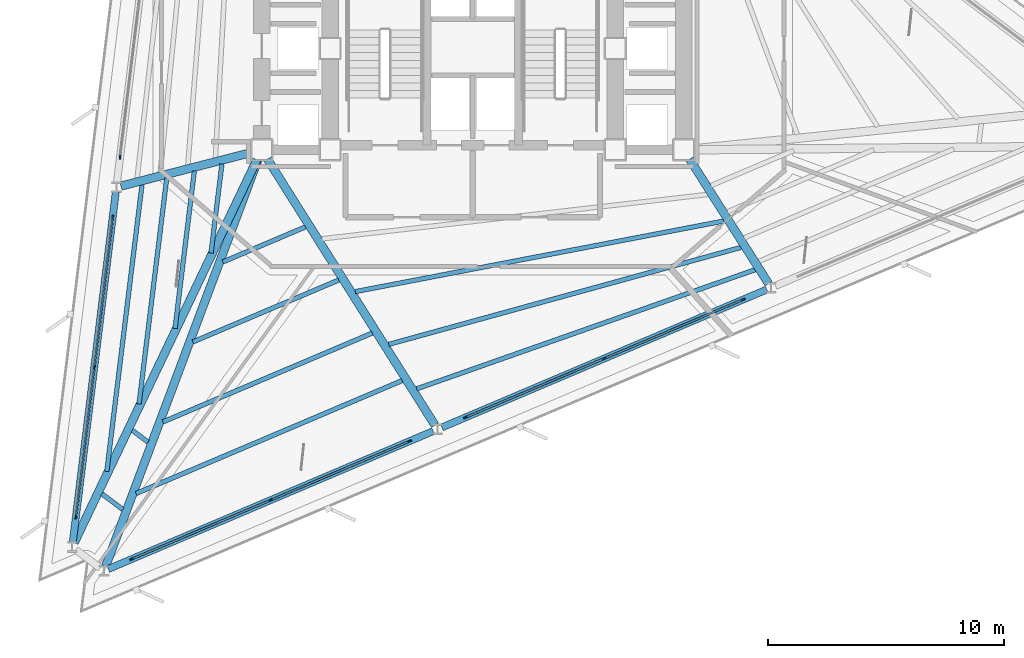
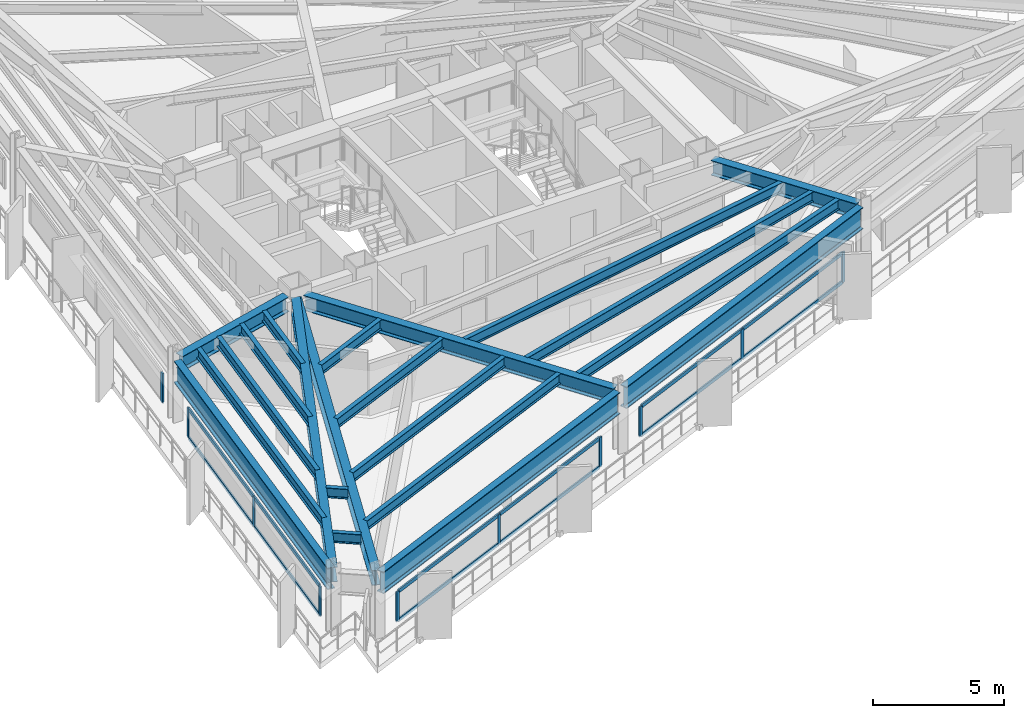
# One storey, part 2 of 13: 22 members, 21 beams, 4 elements without a shape of their own.
"""IFC4 building model written with IfcOpenShell, lengths in metres."""

from ifc_helpers import new_model, si_unit, direction, frame, origin, origin_2d, place, context, subcontext, project, spatial, rectangle, i_section, extrude, material, layer, layer_set, material_profile, profile_set, type_object, element, aggregate, save


model = new_model("IFC4")

# Units and contexts
model_context = context("Model", 3, precision=1e-05, world=origin(), true_north=direction((0.0, 1.0)))
body_context = subcontext(model_context, "Body", "Model", "MODEL_VIEW")
ifc_project = project(units=[si_unit("LENGTHUNIT", "METRE"), si_unit("AREAUNIT", "SQUARE_METRE"), si_unit("VOLUMEUNIT", "CUBIC_METRE"), si_unit("PLANEANGLEUNIT", "RADIAN"), si_unit("MASSUNIT", "GRAM", prefix="KILO")], contexts=[model_context])

# Site, building, storey
site_placement = place(None, origin())
site = spatial("IfcSite", under=ifc_project, at=site_placement, CompositionType="ELEMENT")
building_placement = place(site_placement, origin())
building = spatial("IfcBuilding", under=site, at=building_placement, Name="Rocaltana Carrier Exchange", CompositionType="ELEMENT")
storey_placement = place(building_placement, frame((0.0, 0.0, 73.1201171875)))
storey = spatial("IfcBuildingStorey", under=building, at=storey_placement, Name="L22", CompositionType="ELEMENT", Elevation=73.1201171875)

# Curtain wall, member
ifc_material_1 = material(Name="Aluminium 6063-T6", Category="aluminium")
ifc_layer = layer(ifc_material_1, 0.1650390625)
ifc_layer_set = layer_set([ifc_layer], Name="Aluminium 6063-T6")
curtain_wall_type = type_object("IfcCurtainWallType", Name="Lower-Mid Stepped Curtain Wall CW-02", PredefinedType="NOTDEFINED", material=ifc_layer_set)
curtain_wall_1_placement = place(storey_placement, origin())
curtain_wall_1 = element("IfcCurtainWall", 1, at=curtain_wall_1_placement, inside=storey, type_object=curtain_wall_type, Name="L22 CW-02 Run CW-L22-F2S2", PredefinedType="NOTDEFINED")
ifc_material_2 = material(Name="Aluminium 6063-T6", Category="aluminium")
ifc_material_profile_1 = material_profile(ifc_material_2, rectangle(XDim=0.06494140625, YDim=0.1650390625, at=origin_2d()), Name="AL-65X165")
ifc_profile_set_1 = profile_set([ifc_material_profile_1], Name="Aluminium 6063-T6")
member_type_1 = type_object("IfcMemberType", Name="CW-02 Mullion AL-65X165", PredefinedType="MULLION", material=ifc_profile_set_1)
member_1_placement = place(storey_placement, frame((-14.954345703125, -4.61279296875, 0.0), z_axis=(0.0, 0.0, 1.0), x_axis=(0.992545632614, -0.121873570472, 0.0)))
member_1 = element("IfcMember", 2, at=member_1_placement, type_object=member_type_1, Name="CW-02 mullion 3", PredefinedType="MULLION", context=body_context, shape_type="SweptSolid", body=[
    extrude(rectangle(XDim=0.06494140625, YDim=0.1650390625, at=origin_2d()), origin(), (0.0, 0.0, 1.0), 1.39794921875),
])
aggregate(curtain_wall_1, [member_1])

# Curtain wall, members
curtain_wall_2_placement = place(storey_placement, origin())
curtain_wall_2 = element("IfcCurtainWall", 3, at=curtain_wall_2_placement, inside=storey, type_object=curtain_wall_type, Name="L22 CW-02 Run CW-L22-F2S3", PredefinedType="NOTDEFINED")
member_2_placement = place(storey_placement, frame((-15.266845703125, -7.15869140625, 0.0), z_axis=(0.0, 0.0, 1.0), x_axis=(0.992544692438, -0.121881227076, 0.0)))
member_2 = element("IfcMember", 4, at=member_2_placement, type_object=member_type_1, Name="CW-02 mullion 1", PredefinedType="MULLION", context=body_context, shape_type="SweptSolid", body=[
    extrude(rectangle(XDim=0.06494140625, YDim=0.1650390625, at=origin_2d()), origin(), (0.0, 0.0, 1.0), 1.39794921875),
])
member_3_placement = place(storey_placement, frame((-16.047119140625, -13.51171875, 0.0), z_axis=(0.0, 0.0, 1.0), x_axis=(0.992544692438, -0.121881227076, 0.0)))
member_3 = element("IfcMember", 5, at=member_3_placement, type_object=member_type_1, Name="CW-02 mullion 2", PredefinedType="MULLION", context=body_context, shape_type="SweptSolid", body=[
    extrude(rectangle(XDim=0.06494140625, YDim=0.1650390625, at=origin_2d()), origin(), (0.0, 0.0, 1.0), 1.39794921875),
])
member_4_placement = place(storey_placement, frame((-16.8271484375, -19.86474609375, 0.0), z_axis=(0.0, 0.0, 1.0), x_axis=(0.992544692438, -0.121881227076, 0.0)))
member_4 = element("IfcMember", 6, at=member_4_placement, type_object=member_type_1, Name="CW-02 mullion 3", PredefinedType="MULLION", context=body_context, shape_type="SweptSolid", body=[
    extrude(rectangle(XDim=0.06494140625, YDim=0.1650390625, at=origin_2d()), origin(), (0.0, 0.0, 1.0), 1.39794921875),
])

curtain_wall_3_placement = place(storey_placement, origin())
curtain_wall_3 = element("IfcCurtainWall", 7, at=curtain_wall_3_placement, inside=storey, type_object=curtain_wall_type, Name="L22 CW-02 Run CW-L22-F3S1", PredefinedType="NOTDEFINED")
member_5_placement = place(storey_placement, frame((-14.457275390625, -21.650634765625, 0.0), z_axis=(0.0, 0.0, 1.0), x_axis=(-0.390728673724, 0.920505895435, 0.0)))
member_5 = element("IfcMember", 8, at=member_5_placement, type_object=member_type_1, Name="CW-02 mullion 1", PredefinedType="MULLION", context=body_context, shape_type="SweptSolid", body=[
    extrude(rectangle(XDim=0.06494140625, YDim=0.1650390625, at=origin_2d()), origin(), (0.0, 0.0, 1.0), 1.39794921875),
])
member_6_placement = place(storey_placement, frame((-8.565185546875, -19.149658203125, 0.0), z_axis=(0.0, 0.0, 1.0), x_axis=(-0.390728673724, 0.920505895435, 0.0)))
member_6 = element("IfcMember", 9, at=member_6_placement, type_object=member_type_1, Name="CW-02 mullion 2", PredefinedType="MULLION", context=body_context, shape_type="SweptSolid", body=[
    extrude(rectangle(XDim=0.06494140625, YDim=0.1650390625, at=origin_2d()), origin(), (0.0, 0.0, 1.0), 1.39794921875),
])
member_7_placement = place(storey_placement, frame((-2.673095703125, -16.648681640625, 0.0), z_axis=(0.0, 0.0, 1.0), x_axis=(-0.390728673724, 0.920505895435, 0.0)))
member_7 = element("IfcMember", 10, at=member_7_placement, type_object=member_type_1, Name="CW-02 mullion 3", PredefinedType="MULLION", context=body_context, shape_type="SweptSolid", body=[
    extrude(rectangle(XDim=0.06494140625, YDim=0.1650390625, at=origin_2d()), origin(), (0.0, 0.0, 1.0), 1.39794921875),
])

curtain_wall_4_placement = place(storey_placement, origin())
curtain_wall_4 = element("IfcCurtainWall", 11, at=curtain_wall_4_placement, inside=storey, type_object=curtain_wall_type, Name="L22 CW-02 Run CW-L22-F3S2", PredefinedType="NOTDEFINED")
member_8_placement = place(storey_placement, frame((-0.31201171875, -15.646484375, 0.0), z_axis=(0.0, 0.0, 1.0), x_axis=(-0.390728673724, 0.920505895435, 0.0)))
member_8 = element("IfcMember", 12, at=member_8_placement, type_object=member_type_1, Name="CW-02 mullion 1", PredefinedType="MULLION", context=body_context, shape_type="SweptSolid", body=[
    extrude(rectangle(XDim=0.06494140625, YDim=0.1650390625, at=origin_2d()), origin(), (0.0, 0.0, 1.0), 1.39794921875),
])
member_9_placement = place(storey_placement, frame((5.579833984375, -13.1455078125, 0.0), z_axis=(0.0, 0.0, 1.0), x_axis=(-0.390728673724, 0.920505895435, 0.0)))
member_9 = element("IfcMember", 13, at=member_9_placement, type_object=member_type_1, Name="CW-02 mullion 2", PredefinedType="MULLION", context=body_context, shape_type="SweptSolid", body=[
    extrude(rectangle(XDim=0.06494140625, YDim=0.1650390625, at=origin_2d()), origin(), (0.0, 0.0, 1.0), 1.39794921875),
])
member_10_placement = place(storey_placement, frame((11.471923828125, -10.64453125, 0.0), z_axis=(0.0, 0.0, 1.0), x_axis=(-0.390728673724, 0.920505895435, 0.0)))
member_10 = element("IfcMember", 14, at=member_10_placement, type_object=member_type_1, Name="CW-02 mullion 3", PredefinedType="MULLION", context=body_context, shape_type="SweptSolid", body=[
    extrude(rectangle(XDim=0.06494140625, YDim=0.1650390625, at=origin_2d()), origin(), (0.0, 0.0, 1.0), 1.39794921875),
])

# Member
ifc_material_3 = material(Name="Aluminium 6063-T6", Category="aluminium")
ifc_material_profile_2 = material_profile(ifc_material_3, rectangle(XDim=0.06494140625, YDim=0.1650390625, at=origin_2d()), Name="AL-65X165")
ifc_profile_set_2 = profile_set([ifc_material_profile_2], Name="Aluminium 6063-T6")
member_type_2 = type_object("IfcMemberType", Name="CW-02 Transom AL-65X165", PredefinedType="USERDEFINED", material=ifc_profile_set_2)
member_11_placement = place(storey_placement, frame((-15.270751953125, -7.19091796875, 0.032470703125), z_axis=(-0.121881311797, -0.992544682034, 0.0), x_axis=(0.992544682034, -0.121881311797, 0.0)))
member_11 = element("IfcMember", 15, at=member_11_placement, type_object=member_type_2, Name="CW-02 transom 1.1", ObjectType="TRANSOM", PredefinedType="USERDEFINED", context=body_context, shape_type="SweptSolid", body=[
    extrude(rectangle(XDim=0.06494140625, YDim=0.1650390625, at=origin_2d()), origin(), (0.0, 0.0, 1.0), 6.335693359375),
])

member_12_placement = place(storey_placement, frame((-15.270751953125, -7.19091796875, 1.365478515625), z_axis=(-0.121881311797, -0.992544682034, 0.0), x_axis=(0.992544682034, -0.121881311797, 0.0)))
member_12 = element("IfcMember", 16, at=member_12_placement, type_object=member_type_2, Name="CW-02 transom 1.2", ObjectType="TRANSOM", PredefinedType="USERDEFINED", context=body_context, shape_type="SweptSolid", body=[
    extrude(rectangle(XDim=0.06494140625, YDim=0.1650390625, at=origin_2d()), origin(), (0.0, 0.0, 1.0), 6.335693359375),
])

member_13_placement = place(storey_placement, frame((-16.051025390625, -13.5439453125, 0.032470703125), z_axis=(-0.121881311797, -0.992544682034, 0.0), x_axis=(0.992544682034, -0.121881311797, 0.0)))
member_13 = element("IfcMember", 17, at=member_13_placement, type_object=member_type_2, Name="CW-02 transom 2.1", ObjectType="TRANSOM", PredefinedType="USERDEFINED", context=body_context, shape_type="SweptSolid", body=[
    extrude(rectangle(XDim=0.06494140625, YDim=0.1650390625, at=origin_2d()), origin(), (0.0, 0.0, 1.0), 6.335693359375),
])

member_14_placement = place(storey_placement, frame((-16.051025390625, -13.5439453125, 1.365478515625), z_axis=(-0.121881311797, -0.992544682034, 0.0), x_axis=(0.992544682034, -0.121881311797, 0.0)))
member_14 = element("IfcMember", 18, at=member_14_placement, type_object=member_type_2, Name="CW-02 transom 2.2", ObjectType="TRANSOM", PredefinedType="USERDEFINED", context=body_context, shape_type="SweptSolid", body=[
    extrude(rectangle(XDim=0.06494140625, YDim=0.1650390625, at=origin_2d()), origin(), (0.0, 0.0, 1.0), 6.335693359375),
])

aggregate(curtain_wall_2, [member_2, member_3, member_4, member_11, member_12, member_13, member_14])

member_15_placement = place(storey_placement, frame((-14.42724609375, -21.637939453125, 0.032470703125), z_axis=(0.920508718486, 0.390722022916, 0.0), x_axis=(-0.390722022916, 0.920508718486, 0.0)))
member_15 = element("IfcMember", 19, at=member_15_placement, type_object=member_type_2, Name="CW-02 transom 1.1", ObjectType="TRANSOM", PredefinedType="USERDEFINED", context=body_context, shape_type="SweptSolid", body=[
    extrude(rectangle(XDim=0.06494140625, YDim=0.1650390625, at=origin_2d()), origin(), (0.0, 0.0, 1.0), 6.3359375),
])

member_16_placement = place(storey_placement, frame((-14.42724609375, -21.637939453125, 1.365478515625), z_axis=(0.920508718486, 0.390722022916, 0.0), x_axis=(-0.390722022916, 0.920508718486, 0.0)))
member_16 = element("IfcMember", 20, at=member_16_placement, type_object=member_type_2, Name="CW-02 transom 1.2", ObjectType="TRANSOM", PredefinedType="USERDEFINED", context=body_context, shape_type="SweptSolid", body=[
    extrude(rectangle(XDim=0.06494140625, YDim=0.1650390625, at=origin_2d()), origin(), (0.0, 0.0, 1.0), 6.3359375),
])

member_17_placement = place(storey_placement, frame((-8.53515625, -19.136962890625, 0.032470703125), z_axis=(0.920502835622, 0.390735882167, 0.0), x_axis=(-0.390735882167, 0.920502835622, 0.0)))
member_17 = element("IfcMember", 21, at=member_17_placement, type_object=member_type_2, Name="CW-02 transom 2.1", ObjectType="TRANSOM", PredefinedType="USERDEFINED", context=body_context, shape_type="SweptSolid", body=[
    extrude(rectangle(XDim=0.06494140625, YDim=0.1650390625, at=origin_2d()), origin(), (0.0, 0.0, 1.0), 6.335693359375),
])

member_18_placement = place(storey_placement, frame((-8.53515625, -19.136962890625, 1.365478515625), z_axis=(0.920502835622, 0.390735882167, 0.0), x_axis=(-0.390735882167, 0.920502835622, 0.0)))
member_18 = element("IfcMember", 22, at=member_18_placement, type_object=member_type_2, Name="CW-02 transom 2.2", ObjectType="TRANSOM", PredefinedType="USERDEFINED", context=body_context, shape_type="SweptSolid", body=[
    extrude(rectangle(XDim=0.06494140625, YDim=0.1650390625, at=origin_2d()), origin(), (0.0, 0.0, 1.0), 6.335693359375),
])

aggregate(curtain_wall_3, [member_5, member_6, member_7, member_15, member_16, member_17, member_18])

member_19_placement = place(storey_placement, frame((-0.2822265625, -15.6337890625, 0.032470703125), z_axis=(0.920508718486, 0.390722022916, 0.0), x_axis=(-0.390722022916, 0.920508718486, 0.0)))
member_19 = element("IfcMember", 23, at=member_19_placement, type_object=member_type_2, Name="CW-02 transom 1.1", ObjectType="TRANSOM", PredefinedType="USERDEFINED", context=body_context, shape_type="SweptSolid", body=[
    extrude(rectangle(XDim=0.06494140625, YDim=0.1650390625, at=origin_2d()), origin(), (0.0, 0.0, 1.0), 6.3359375),
])

member_20_placement = place(storey_placement, frame((-0.2822265625, -15.6337890625, 1.365478515625), z_axis=(0.920508718486, 0.390722022916, 0.0), x_axis=(-0.390722022916, 0.920508718486, 0.0)))
member_20 = element("IfcMember", 24, at=member_20_placement, type_object=member_type_2, Name="CW-02 transom 1.2", ObjectType="TRANSOM", PredefinedType="USERDEFINED", context=body_context, shape_type="SweptSolid", body=[
    extrude(rectangle(XDim=0.06494140625, YDim=0.1650390625, at=origin_2d()), origin(), (0.0, 0.0, 1.0), 6.3359375),
])

member_21_placement = place(storey_placement, frame((5.60986328125, -13.1328125, 0.032470703125), z_axis=(0.920508718486, 0.390722022916, 0.0), x_axis=(-0.390722022916, 0.920508718486, 0.0)))
member_21 = element("IfcMember", 25, at=member_21_placement, type_object=member_type_2, Name="CW-02 transom 2.1", ObjectType="TRANSOM", PredefinedType="USERDEFINED", context=body_context, shape_type="SweptSolid", body=[
    extrude(rectangle(XDim=0.06494140625, YDim=0.1650390625, at=origin_2d()), origin(), (0.0, 0.0, 1.0), 6.3359375),
])

member_22_placement = place(storey_placement, frame((5.60986328125, -13.1328125, 1.365478515625), z_axis=(0.920508718486, 0.390722022916, 0.0), x_axis=(-0.390722022916, 0.920508718486, 0.0)))
member_22 = element("IfcMember", 26, at=member_22_placement, type_object=member_type_2, Name="CW-02 transom 2.2", ObjectType="TRANSOM", PredefinedType="USERDEFINED", context=body_context, shape_type="SweptSolid", body=[
    extrude(rectangle(XDim=0.06494140625, YDim=0.1650390625, at=origin_2d()), origin(), (0.0, 0.0, 1.0), 6.3359375),
])

aggregate(curtain_wall_4, [member_8, member_9, member_10, member_19, member_20, member_21, member_22])

# Beams
ifc_material_4 = material(Name="Steel S355", Category="steel")
ifc_material_profile_3 = material_profile(ifc_material_4, i_section(OverallWidth=0.193115234375, OverallDepth=0.466064453125, WebThickness=0.011474609375, FlangeThickness=0.01904296875, FilletRadius=0.013916015625, at=origin_2d()), Name="W18X65")
ifc_profile_set_3 = profile_set([ifc_material_profile_3], Name="Steel S355")
beam_type_1 = type_object("IfcBeamType", Name="Floor Joist W18X65", PredefinedType="JOIST", material=ifc_profile_set_3)
beam_1_placement = place(storey_placement, frame((-10.63427734375, -4.8984375, 2.704833984375), z_axis=(-0.121879106214, -0.99254495287, 0.0), x_axis=(0.99254495287, -0.121879106214, 0.0)))
element("IfcBeam", 27, at=beam_1_placement, inside=storey, type_object=beam_type_1, Name="FJ-L22-07-1", PredefinedType="JOIST", context=body_context, shape_type="SweptSolid", body=[
    extrude(i_section(OverallWidth=0.193115234375, OverallDepth=0.466064453125, WebThickness=0.011474609375, FlangeThickness=0.01904296875, FilletRadius=0.013916015625, at=origin_2d()), origin(), (0.0, 0.0, 1.0), 3.805908203125),
])
beam_2_placement = place(storey_placement, frame((-11.8046875, -5.19970703125, 2.704833984375), z_axis=(-0.121894438401, -0.992543070041, 0.0), x_axis=(0.992543070041, -0.121894438401, 0.0)))
element("IfcBeam", 28, at=beam_2_placement, inside=storey, type_object=beam_type_1, Name="FJ-L22-07-2", PredefinedType="JOIST", context=body_context, shape_type="SweptSolid", body=[
    extrude(i_section(OverallWidth=0.193115234375, OverallDepth=0.466064453125, WebThickness=0.011474609375, FlangeThickness=0.01904296875, FilletRadius=0.013916015625, at=origin_2d()), origin(), (0.0, 0.0, 1.0), 6.7255859375),
])
beam_3_placement = place(storey_placement, frame((-12.975341796875, -5.5009765625, 2.704833984375), z_axis=(-0.121878614676, -0.992545013228, 0.0), x_axis=(0.992545013228, -0.121878614676, 0.0)))
element("IfcBeam", 29, at=beam_3_placement, inside=storey, type_object=beam_type_1, Name="FJ-L22-07-3", PredefinedType="JOIST", context=body_context, shape_type="SweptSolid", body=[
    extrude(i_section(OverallWidth=0.193115234375, OverallDepth=0.466064453125, WebThickness=0.011474609375, FlangeThickness=0.01904296875, FilletRadius=0.013916015625, at=origin_2d()), origin(), (0.0, 0.0, 1.0), 9.645263671875),
])
beam_4_placement = place(storey_placement, frame((-14.022705078125, -5.7705078125, 2.704833984375), z_axis=(-0.121874778131, -0.992545484326, 0.0), x_axis=(0.992545484326, -0.121874778131, 0.0)))
element("IfcBeam", 30, at=beam_4_placement, inside=storey, type_object=beam_type_1, Name="FJ-L22-07-4", PredefinedType="JOIST", context=body_context, shape_type="SweptSolid", body=[
    extrude(i_section(OverallWidth=0.193115234375, OverallDepth=0.466064453125, WebThickness=0.011474609375, FlangeThickness=0.01904296875, FilletRadius=0.013916015625, at=origin_2d()), origin(), (0.0, 0.0, 1.0), 12.257568359375),
])
beam_5_placement = place(storey_placement, frame((-14.436279296875, -16.189697265625, 2.704833984375), z_axis=(0.798596771992, -0.601866426845, 0.0), x_axis=(0.601866426845, 0.798596771992, 0.0)))
element("IfcBeam", 31, at=beam_5_placement, inside=storey, type_object=beam_type_1, Name="FJ-L22-08-3", PredefinedType="JOIST", context=body_context, shape_type="SweptSolid", body=[
    extrude(i_section(OverallWidth=0.193115234375, OverallDepth=0.466064453125, WebThickness=0.011474609375, FlangeThickness=0.01904296875, FilletRadius=0.013916015625, at=origin_2d()), origin(), (0.0, 0.0, 1.0), 0.83642578125),
])
beam_6_placement = place(storey_placement, frame((-15.7216796875, -18.8837890625, 2.704833984375), z_axis=(0.798673550691, -0.601764538193, 0.0), x_axis=(0.601764538193, 0.798673550691, 0.0)))
element("IfcBeam", 32, at=beam_6_placement, inside=storey, type_object=beam_type_1, Name="FJ-L22-08-4", PredefinedType="JOIST", context=body_context, shape_type="SweptSolid", body=[
    extrude(i_section(OverallWidth=0.193115234375, OverallDepth=0.466064453125, WebThickness=0.011474609375, FlangeThickness=0.01904296875, FilletRadius=0.013916015625, at=origin_2d()), origin(), (0.0, 0.0, 1.0), 1.10595703125),
])
beam_7_placement = place(storey_placement, frame((-10.597900390625, -9.052978515625, 2.704833984375), z_axis=(0.920509781797, 0.390719517834, 0.0), x_axis=(-0.390719517834, 0.920509781797, 0.0)))
element("IfcBeam", 33, at=beam_7_placement, inside=storey, type_object=beam_type_1, Name="FJ-L22-09-1", PredefinedType="JOIST", context=body_context, shape_type="SweptSolid", body=[
    extrude(i_section(OverallWidth=0.193115234375, OverallDepth=0.466064453125, WebThickness=0.011474609375, FlangeThickness=0.01904296875, FilletRadius=0.013916015625, at=origin_2d()), origin(), (0.0, 0.0, 1.0), 3.805908203125),
])
beam_8_placement = place(storey_placement, frame((-11.868408203125, -12.44482421875, 2.704833984375), z_axis=(0.920502665094, 0.390736283898, 0.0), x_axis=(-0.390736283898, 0.920502665094, 0.0)))
element("IfcBeam", 34, at=beam_8_placement, inside=storey, type_object=beam_type_1, Name="FJ-L22-09-2", PredefinedType="JOIST", context=body_context, shape_type="SweptSolid", body=[
    extrude(i_section(OverallWidth=0.193115234375, OverallDepth=0.466064453125, WebThickness=0.011474609375, FlangeThickness=0.01904296875, FilletRadius=0.013916015625, at=origin_2d()), origin(), (0.0, 0.0, 1.0), 6.7255859375),
])
beam_9_placement = place(storey_placement, frame((-13.13916015625, -15.836669921875, 2.704833984375), z_axis=(0.920512824991, 0.390712348188, 0.0), x_axis=(-0.390712348188, 0.920512824991, 0.0)))
element("IfcBeam", 35, at=beam_9_placement, inside=storey, type_object=beam_type_1, Name="FJ-L22-09-3", PredefinedType="JOIST", context=body_context, shape_type="SweptSolid", body=[
    extrude(i_section(OverallWidth=0.193115234375, OverallDepth=0.466064453125, WebThickness=0.011474609375, FlangeThickness=0.01904296875, FilletRadius=0.013916015625, at=origin_2d()), origin(), (0.0, 0.0, 1.0), 9.645263671875),
])
beam_10_placement = place(storey_placement, frame((-14.27587890625, -18.87158203125, 2.704833984375), z_axis=(0.92049843191, 0.39074625635, 0.0), x_axis=(-0.39074625635, 0.92049843191, 0.0)))
element("IfcBeam", 36, at=beam_10_placement, inside=storey, type_object=beam_type_1, Name="FJ-L22-09-4", PredefinedType="JOIST", context=body_context, shape_type="SweptSolid", body=[
    extrude(i_section(OverallWidth=0.193115234375, OverallDepth=0.466064453125, WebThickness=0.011474609375, FlangeThickness=0.01904296875, FilletRadius=0.013916015625, at=origin_2d()), origin(), (0.0, 0.0, 1.0), 12.25732421875),
])
beam_11_placement = place(storey_placement, frame((-4.978271484375, -10.31005859375, 2.704833984375), z_axis=(0.982142482744, 0.188138628647, 0.0), x_axis=(-0.188138628647, 0.982142482744, 0.0)))
element("IfcBeam", 37, at=beam_11_placement, inside=storey, type_object=beam_type_1, Name="FJ-L22-10-2", PredefinedType="JOIST", context=body_context, shape_type="SweptSolid", body=[
    extrude(i_section(OverallWidth=0.193115234375, OverallDepth=0.466064453125, WebThickness=0.011474609375, FlangeThickness=0.01904296875, FilletRadius=0.013916015625, at=origin_2d()), origin(), (0.0, 0.0, 1.0), 15.9326171875),
])
beam_12_placement = place(storey_placement, frame((-3.564453125, -12.5478515625, 2.704833984375), z_axis=(0.964150794225, 0.265354943415, 0.0), x_axis=(-0.265354943415, 0.964150794225, 0.0)))
element("IfcBeam", 38, at=beam_12_placement, inside=storey, type_object=beam_type_1, Name="FJ-L22-10-3", PredefinedType="JOIST", context=body_context, shape_type="SweptSolid", body=[
    extrude(i_section(OverallWidth=0.193115234375, OverallDepth=0.466064453125, WebThickness=0.011474609375, FlangeThickness=0.01904296875, FilletRadius=0.013916015625, at=origin_2d()), origin(), (0.0, 0.0, 1.0), 15.496337890625),
])
beam_13_placement = place(storey_placement, frame((-2.375, -14.431884765625, 2.704833984375), z_axis=(0.943283630241, 0.331987940924, 0.0), x_axis=(-0.331987940924, 0.943283630241, 0.0)))
element("IfcBeam", 39, at=beam_13_placement, inside=storey, type_object=beam_type_1, Name="FJ-L22-10-4", PredefinedType="JOIST", context=body_context, shape_type="SweptSolid", body=[
    extrude(i_section(OverallWidth=0.193115234375, OverallDepth=0.466064453125, WebThickness=0.011474609375, FlangeThickness=0.01904296875, FilletRadius=0.013916015625, at=origin_2d()), origin(), (0.0, 0.0, 1.0), 15.2099609375),
])
ifc_material_5 = material(Name="Steel S355", Category="steel")
ifc_material_profile_4 = material_profile(ifc_material_5, i_section(OverallWidth=0.35498046875, OverallDepth=0.695068359375, WebThickness=0.015380859375, FlangeThickness=0.02490234375, FilletRadius=0.01806640625, at=origin_2d()), Name="W27X146")
ifc_profile_set_4 = profile_set([ifc_material_profile_4], Name="Steel S355")
beam_type_2 = type_object("IfcBeamType", Name="Radial Girder W27X146", PredefinedType="BEAM", material=ifc_profile_set_4)
beam_14_placement = place(storey_placement, frame((-9.40234375, -4.41650390625, 2.59033203125), z_axis=(-0.9684340996, -0.249269722856, 0.0), x_axis=(0.249269722856, -0.9684340996, 0.0)))
element("IfcBeam", 40, at=beam_14_placement, inside=storey, type_object=beam_type_2, Name="RG-L22-07", PredefinedType="BEAM", context=body_context, shape_type="SweptSolid", body=[
    extrude(i_section(OverallWidth=0.35498046875, OverallDepth=0.695068359375, WebThickness=0.015380859375, FlangeThickness=0.02490234375, FilletRadius=0.01806640625, at=origin_2d()), origin(), (0.0, 0.0, 1.0), 5.693359375),
])
beam_15_placement = place(storey_placement, frame((-9.151123046875, -4.721435546875, 2.59033203125), z_axis=(-0.430600446269, -0.902542661414, 0.0), x_axis=(0.902542661414, -0.430600446269, 0.0)))
element("IfcBeam", 41, at=beam_15_placement, inside=storey, type_object=beam_type_2, Name="RG-L22-08", PredefinedType="BEAM", context=body_context, shape_type="SweptSolid", body=[
    extrude(i_section(OverallWidth=0.35498046875, OverallDepth=0.695068359375, WebThickness=0.015380859375, FlangeThickness=0.02490234375, FilletRadius=0.01806640625, at=origin_2d()), origin(), (0.0, 0.0, 1.0), 17.988037109375),
])
beam_16_placement = place(storey_placement, frame((-9.11376953125, -4.7373046875, 2.59033203125), z_axis=(-0.350813625712, -0.936445300065, 0.0), x_axis=(0.936445300065, -0.350813625712, 0.0)))
element("IfcBeam", 42, at=beam_16_placement, inside=storey, type_object=beam_type_2, Name="RG-L22-09", PredefinedType="BEAM", context=body_context, shape_type="SweptSolid", body=[
    extrude(i_section(OverallWidth=0.35498046875, OverallDepth=0.695068359375, WebThickness=0.015380859375, FlangeThickness=0.02490234375, FilletRadius=0.01806640625, at=origin_2d()), origin(), (0.0, 0.0, 1.0), 18.3955078125),
])
beam_17_placement = place(storey_placement, frame((-8.701171875, -4.6953125, 2.59033203125), z_axis=(0.532702520737, -0.846302560791, 0.0), x_axis=(0.846302560791, 0.532702520737, 0.0)))
element("IfcBeam", 43, at=beam_17_placement, inside=storey, type_object=beam_type_2, Name="RG-L22-10", PredefinedType="BEAM", context=body_context, shape_type="SweptSolid", body=[
    extrude(i_section(OverallWidth=0.35498046875, OverallDepth=0.695068359375, WebThickness=0.015380859375, FlangeThickness=0.02490234375, FilletRadius=0.01806640625, at=origin_2d()), origin(), (0.0, 0.0, 1.0), 13.331298828125),
])
beam_18_placement = place(storey_placement, frame((9.199951171875, -4.694580078125, 2.59033203125), z_axis=(0.535231440371, -0.844705454722, 0.0), x_axis=(0.844705454722, 0.535231440371, 0.0)))
element("IfcBeam", 44, at=beam_18_placement, inside=storey, type_object=beam_type_2, Name="RG-L22-11", PredefinedType="BEAM", context=body_context, shape_type="SweptSolid", body=[
    extrude(i_section(OverallWidth=0.35498046875, OverallDepth=0.695068359375, WebThickness=0.015380859375, FlangeThickness=0.02490234375, FilletRadius=0.01806640625, at=origin_2d()), origin(), (0.0, 0.0, 1.0), 6.24951171875),
])
ifc_material_6 = material(Name="Steel S460", Category="steel")
ifc_material_profile_5 = material_profile(ifc_material_6, i_section(OverallWidth=0.302001953125, OverallDepth=1.008056640625, WebThickness=0.02099609375, FlangeThickness=0.0400390625, FilletRadius=0.030029296875, at=origin_2d()), Name="HEM1000")
ifc_profile_set_5 = profile_set([ifc_material_profile_5], Name="Steel S460")
beam_type_3 = type_object("IfcBeamType", Name="Transfer Ring Girder HEM1000", PredefinedType="USERDEFINED", material=ifc_profile_set_5)
beam_19_placement = place(storey_placement, frame((-15.135009765625, -6.085205078125, 2.433837890625), z_axis=(-0.12188594414, -0.992544113186, 0.0), x_axis=(0.992544113186, -0.12188594414, 0.0)))
element("IfcBeam", 45, at=beam_19_placement, inside=storey, type_object=beam_type_3, Name="SP-L22-07", ObjectType="TRANSFER GIRDER", PredefinedType="USERDEFINED", context=body_context, shape_type="SweptSolid", body=[
    extrude(i_section(OverallWidth=0.302001953125, OverallDepth=1.008056640625, WebThickness=0.02099609375, FlangeThickness=0.0400390625, FilletRadius=0.030029296875, at=origin_2d()), origin(), (0.0, 0.0, 1.0), 14.964599609375),
])
for number, where, z_axis, x_axis, name in (
    (46, (-15.45263671875, -22.0732421875, 2.433837890625), (0.920505689933, 0.390729157859, 0.0), (-0.390729157859, 0.920505689933, 0.0), "SP-L22-09"),
    (47, (-1.3076171875, -16.069091796875, 2.433837890625), (0.920505689933, 0.390729157859, 0.0), (-0.390729157859, 0.920505689933, 0.0), "SP-L22-10"),
):
    element("IfcBeam", number, at=place(storey_placement, frame(where, z_axis=z_axis, x_axis=x_axis)), inside=storey, type_object=beam_type_3, Name=name, ObjectType="TRANSFER GIRDER", PredefinedType="USERDEFINED", context=body_context, shape_type="SweptSolid", body=[
        extrude(i_section(OverallWidth=0.302001953125, OverallDepth=1.008056640625, WebThickness=0.02099609375, FlangeThickness=0.0400390625, FilletRadius=0.030029296875, at=origin_2d()), origin(), (0.0, 0.0, 1.0), 14.96484375),
    ])

save(model, "model.ifc")
